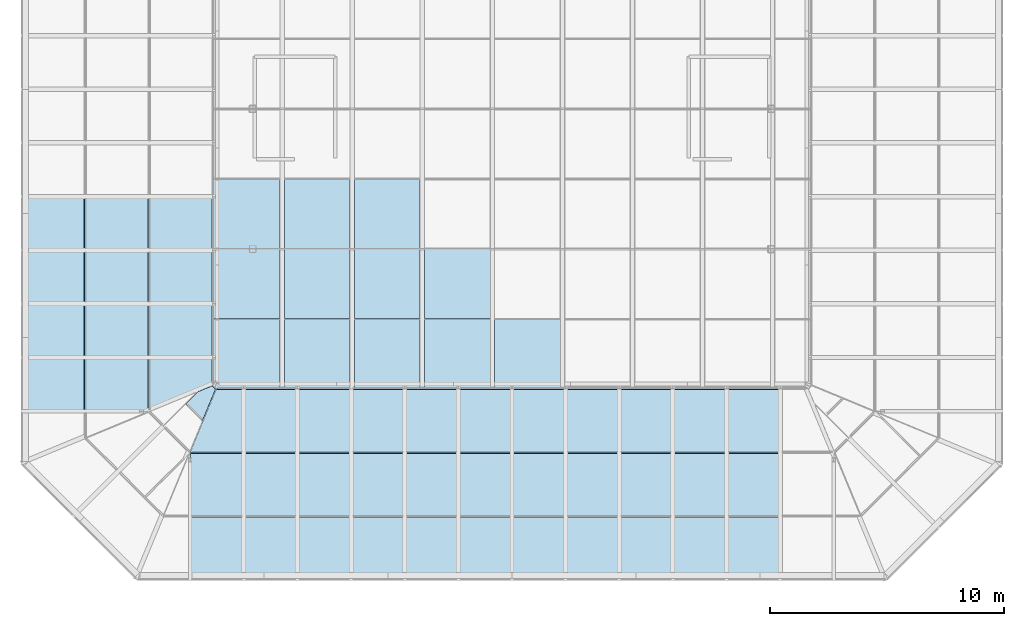
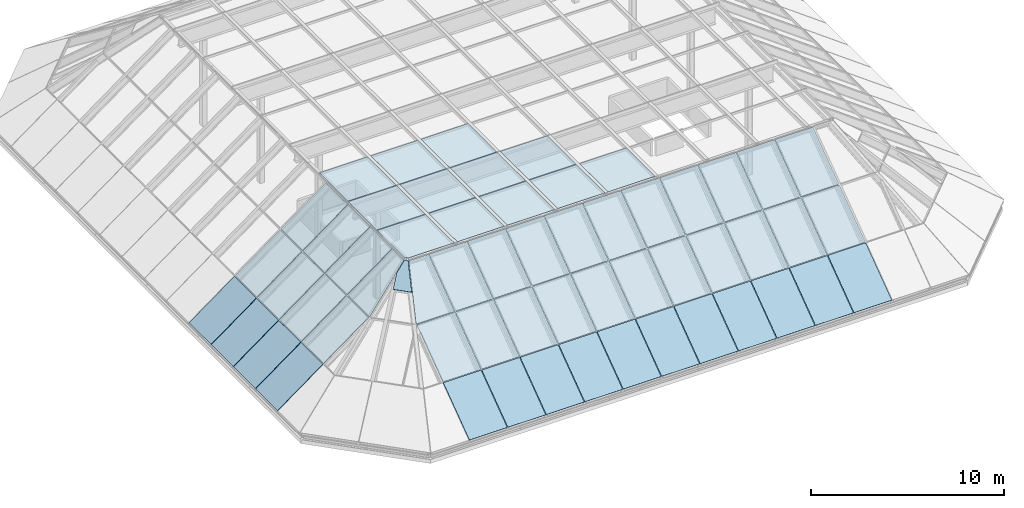
# One storey, part 11 of 15: 58 plates, 4 elements without a shape of their own.
"""IFC4 building model written with IfcOpenShell, lengths in metres."""

from ifc_helpers import new_model, si_unit, direction, frame, origin, place, context, subcontext, project, spatial, polyline, outline, extrude, material, layer, layer_set, constituent, constituent_set, type_object, element, aggregate, save


model = new_model("IFC4")

# Units and contexts
model_context = context("Model", 3, precision=1e-05, world=origin(), true_north=direction((0.0, 1.0)))
body_context = subcontext(model_context, "Body", "Model", "MODEL_VIEW")
ifc_project = project(units=[si_unit("LENGTHUNIT", "METRE"), si_unit("AREAUNIT", "SQUARE_METRE"), si_unit("VOLUMEUNIT", "CUBIC_METRE"), si_unit("PLANEANGLEUNIT", "RADIAN"), si_unit("MASSUNIT", "GRAM", prefix="KILO")], contexts=[model_context])

# Site, building, storey
site_placement = place(None, origin())
site = spatial("IfcSite", under=ifc_project, at=site_placement, CompositionType="ELEMENT")
building_placement = place(site_placement, origin())
building = spatial("IfcBuilding", under=site, at=building_placement, Name="Quoin Convention Tower", CompositionType="ELEMENT")
storey_placement = place(building_placement, frame((0.0, 0.0, 273.699951171875)))
storey = spatial("IfcBuildingStorey", under=building, at=storey_placement, Name="Roof", CompositionType="ELEMENT", Elevation=273.699951171875)

# Curtain wall, plates
ifc_material_1 = material(Name="Aluminium", Category="aluminium")
ifc_constituent_1 = constituent(ifc_material_1, Name="Frame")
ifc_material_2 = material(Name="Insulated glass", Category="glass")
ifc_constituent_2 = constituent(ifc_material_2, Name="Glazing")
ifc_constituent_set = constituent_set(constituents=[ifc_constituent_1, ifc_constituent_2], Name="Aluminium")
curtain_wall_type = type_object("IfcCurtainWallType", Name="Lantern roof system", PredefinedType="NOTDEFINED", material=ifc_constituent_set)
curtain_wall_1_placement = place(storey_placement, origin())
curtain_wall_1 = element("IfcCurtainWall", 1, at=curtain_wall_1_placement, inside=storey, type_object=curtain_wall_type, Name="crn-LNR-F35210_76827", PredefinedType="NOTDEFINED")
ifc_layer = layer(ifc_material_2, 0.028076171875)
ifc_layer_set = layer_set([ifc_layer], Name="Insulated glass")
plate_type = type_object("IfcPlateType", Name="Lantern roof glazing unit 28", PredefinedType="CURTAIN_PANEL", material=ifc_layer_set)
plate_1_placement = place(storey_placement, frame((37.93115234375, 56.1416015625, 2.466552734375), z_axis=(-0.590508839017, 0.0, 0.807031171048), x_axis=(0.0, -1.0, 0.0)))
plate_1 = element("IfcPlate", 2, at=plate_1_placement, type_object=plate_type, Name="CW6 glazing unit", PredefinedType="CURTAIN_PANEL", context=body_context, shape_type="SweptSolid", body=[
    extrude(outline(polyline([(0.0, 0.0), (2.266845703125, 0.0), (2.266845703125, -3.3567283051575907), (0.0, -3.3567283051575907), (0.0, 0.0)])), origin(), (0.0, 0.0, -1.0), 0.028076171875),
])
plate_2_placement = place(storey_placement, frame((37.93115234375, 53.8447265625, 2.466552734375), z_axis=(-0.590508839017, 0.0, 0.807031171048), x_axis=(0.0, -1.0, 0.0)))
plate_2 = element("IfcPlate", 3, at=plate_2_placement, type_object=plate_type, Name="CW6 glazing unit", PredefinedType="CURTAIN_PANEL", context=body_context, shape_type="SweptSolid", body=[
    extrude(outline(polyline([(0.0, 0.0), (2.266845703125, 0.0), (2.266845703125, -3.3567283051575907), (0.0, -3.3567283051575907), (0.0, 0.0)])), origin(), (0.0, 0.0, -1.0), 0.028076171875),
])
plate_3_placement = place(storey_placement, frame((37.93115234375, 51.548095703125, 2.466552734375), z_axis=(-0.590508839017, 0.0, 0.807031171048), x_axis=(0.0, -1.0, 0.0)))
plate_3 = element("IfcPlate", 4, at=plate_3_placement, type_object=plate_type, Name="CW6 glazing unit", PredefinedType="CURTAIN_PANEL", context=body_context, shape_type="SweptSolid", body=[
    extrude(outline(polyline([(0.0, 0.0), (2.266845703125, 0.0), (2.266845703125, -3.3567283051575907), (0.0, -3.3567283051575907), (0.0, 0.0)])), origin(), (0.0, 0.0, -1.0), 0.028076171875),
])
plate_4_placement = place(storey_placement, frame((37.93115234375, 49.251220703125, 2.466552734375), z_axis=(-0.590508839017, 0.0, 0.807031171048), x_axis=(0.0, -1.0, 0.0)))
plate_4 = element("IfcPlate", 5, at=plate_4_placement, type_object=plate_type, Name="CW6 glazing unit", PredefinedType="CURTAIN_PANEL", context=body_context, shape_type="SweptSolid", body=[
    extrude(outline(polyline([(0.0, 0.0), (2.2666015625, 0.0), (2.2666015625, -3.3567283051575902), (0.0, -3.3567283051575902), (0.0, 0.0)])), origin(), (0.0, 0.0, -1.0), 0.028076171875),
])
plate_5_placement = place(storey_placement, frame((37.955322265625, 56.1416015625, 2.484375), z_axis=(-0.590474179548, 0.0, 0.807056530416), x_axis=(0.807056530416, 0.0, 0.590474179548)))
plate_5 = element("IfcPlate", 6, at=plate_5_placement, type_object=plate_type, Name="CW6 glazing unit", PredefinedType="CURTAIN_PANEL", context=body_context, shape_type="SweptSolid", body=[
    extrude(outline(polyline([(0.0, 0.0), (3.356925337347801, 0.0), (3.356925337347801, -2.266845703125), (0.0, -2.266845703125), (0.0, 0.0)])), origin(), (0.0, 0.0, -1.0), 0.028076171875),
])
plate_6_placement = place(storey_placement, frame((37.955322265625, 53.8447265625, 2.484375), z_axis=(-0.590474179548, 0.0, 0.807056530416), x_axis=(0.807056530416, 0.0, 0.590474179548)))
plate_6 = element("IfcPlate", 7, at=plate_6_placement, type_object=plate_type, Name="CW6 glazing unit", PredefinedType="CURTAIN_PANEL", context=body_context, shape_type="SweptSolid", body=[
    extrude(outline(polyline([(0.0, 0.0), (3.356925337347801, 0.0), (3.356925337347801, -2.266845703125), (0.0, -2.266845703125), (0.0, 0.0)])), origin(), (0.0, 0.0, -1.0), 0.028076171875),
])
plate_7_placement = place(storey_placement, frame((37.955322265625, 51.548095703125, 2.484375), z_axis=(-0.590474179548, 0.0, 0.807056530416), x_axis=(0.807056530416, 0.0, 0.590474179548)))
plate_7 = element("IfcPlate", 8, at=plate_7_placement, type_object=plate_type, Name="CW6 glazing unit", PredefinedType="CURTAIN_PANEL", context=body_context, shape_type="SweptSolid", body=[
    extrude(outline(polyline([(0.0, 0.0), (3.356925337347801, 0.0), (3.356925337347801, -2.266845703125), (0.0, -2.266845703125), (0.0, 0.0)])), origin(), (0.0, 0.0, -1.0), 0.028076171875),
])
plate_8_placement = place(storey_placement, frame((37.955322265625, 49.251220703125, 2.484375), z_axis=(-0.590474179548, 0.0, 0.807056530416), x_axis=(0.807056530416, 0.0, 0.590474179548)))
plate_8 = element("IfcPlate", 9, at=plate_8_placement, type_object=plate_type, Name="CW6 glazing unit", PredefinedType="CURTAIN_PANEL", context=body_context, shape_type="SweptSolid", body=[
    extrude(outline(polyline([(0.0, 0.0), (3.356925337347801, 0.0), (3.356925337347801, -2.2666015625), (0.0, -2.2666015625), (0.0, 0.0)])), origin(), (0.0, 0.0, -1.0), 0.028076171875),
])
plate_9_placement = place(storey_placement, frame((40.688720703125, 53.874755859375, 4.484375), z_axis=(-0.590474179548, 0.0, 0.807056530416), x_axis=(0.0, 1.0, 0.0)))
plate_9 = element("IfcPlate", 10, at=plate_9_placement, type_object=plate_type, Name="CW6 glazing unit", PredefinedType="CURTAIN_PANEL", context=body_context, shape_type="SweptSolid", body=[
    extrude(outline(polyline([(0.0, 0.0), (2.266845703125, 0.0), (2.266845703125, -3.356925337347801), (0.0, -3.356925337347801), (0.0, 0.0)])), origin(), (0.0, 0.0, -1.0), 0.028076171875),
])
plate_10_placement = place(storey_placement, frame((40.688720703125, 51.577880859375, 4.484375), z_axis=(-0.590474179548, 0.0, 0.807056530416), x_axis=(0.0, 1.0, 0.0)))
plate_10 = element("IfcPlate", 11, at=plate_10_placement, type_object=plate_type, Name="CW6 glazing unit", PredefinedType="CURTAIN_PANEL", context=body_context, shape_type="SweptSolid", body=[
    extrude(outline(polyline([(0.0, 0.0), (2.266845703125, 0.0), (2.266845703125, -3.356925337347801), (0.0, -3.356925337347801), (0.0, 0.0)])), origin(), (0.0, 0.0, -1.0), 0.028076171875),
])
plate_11_placement = place(storey_placement, frame((40.688720703125, 49.28125, 4.484375), z_axis=(-0.590474179548, 0.0, 0.807056530416), x_axis=(0.0, 1.0, 0.0)))
plate_11 = element("IfcPlate", 12, at=plate_11_placement, type_object=plate_type, Name="CW6 glazing unit", PredefinedType="CURTAIN_PANEL", context=body_context, shape_type="SweptSolid", body=[
    extrude(outline(polyline([(0.0, 0.0), (2.266845703125, 0.0), (2.266845703125, -3.356925337347801), (0.0, -3.356925337347801), (0.0, 0.0)])), origin(), (0.0, 0.0, -1.0), 0.028076171875),
])
plate_12_placement = place(storey_placement, frame((40.688720703125, 46.984619140625, 4.484375), z_axis=(-0.590467870456, -2.3954968e-05, 0.807061146002), x_axis=(-1.4144639e-05, 0.999999999713, 1.9333124e-05)))
plate_12 = element("IfcPlate", 13, at=plate_12_placement, type_object=plate_type, Name="CW6 glazing unit", PredefinedType="CURTAIN_PANEL", context=body_context, shape_type="SweptSolid", body=[
    extrude(outline(polyline([(0.0, 0.0), (2.266601561849666, 0.0), (2.2666015624782845, -3.356925337245233), (1.0954589846893092, -3.356925337245233), (-1.972716709108947e-09, -0.07949875796371716), (0.0, 0.0)])), origin(), (0.0, 0.0, -1.0), 0.028076171875),
])
aggregate(curtain_wall_1, [plate_1, plate_2, plate_3, plate_4, plate_5, plate_6, plate_7, plate_8, plate_9, plate_10, plate_11, plate_12])

# Curtain wall, plate
curtain_wall_2_placement = place(storey_placement, origin())
curtain_wall_2 = element("IfcCurtainWall", 14, at=curtain_wall_2_placement, inside=storey, type_object=curtain_wall_type, Name="crn-LNR-F35210_44673", PredefinedType="NOTDEFINED")
plate_13_placement = place(storey_placement, frame((42.9970703125, 46.566650390625, 5.484375), z_axis=(-0.417448451267, -0.417578956169, 0.807071623773), x_axis=(-0.707224642574, 0.706988900109, -7.613711e-06)))
plate_13 = element("IfcPlate", 15, at=plate_13_placement, type_object=plate_type, Name="CW6 glazing unit", PredefinedType="CURTAIN_PANEL", context=body_context, shape_type="SweptSolid", body=[
    extrude(outline(polyline([(0.0, 0.0), (1.0021374329858963, 5.551115123125783e-17), (1.0020069393110802, -0.9385983617875202), (0.7593561028419844, -1.663447276913725), (0.5559938526855857, -1.6634190033734484), (0.0, 0.0)])), origin(), (0.0, 0.0, -1.0), 0.028076171875),
])
aggregate(curtain_wall_2, [plate_13])

# Curtain wall, plates
curtain_wall_3_placement = place(storey_placement, origin())
curtain_wall_3 = element("IfcCurtainWall", 16, at=curtain_wall_3_placement, inside=storey, type_object=curtain_wall_type, Name="crn-LNR-F40173_39710", PredefinedType="NOTDEFINED")
plate_14_placement = place(storey_placement, frame((42.484619140625, 42.43115234375, 2.466552734375), z_axis=(0.0, -0.590508839017, 0.807031171048), x_axis=(1.0, 0.0, 0.0)))
plate_14 = element("IfcPlate", 17, at=plate_14_placement, type_object=plate_type, Name="CW6 glazing unit", PredefinedType="CURTAIN_PANEL", context=body_context, shape_type="SweptSolid", body=[
    extrude(outline(polyline([(0.0, 0.0), (2.2666015625, 0.0), (2.2666015625, -3.3567283051575902), (0.0, -3.3567283051575902), (0.0, 0.0)])), origin(), (0.0, 0.0, -1.0), 0.028076171875),
])
plate_15_placement = place(storey_placement, frame((44.78125, 42.43115234375, 2.466552734375), z_axis=(0.0, -0.590508839017, 0.807031171048), x_axis=(1.0, 0.0, 0.0)))
plate_15 = element("IfcPlate", 18, at=plate_15_placement, type_object=plate_type, Name="CW6 glazing unit", PredefinedType="CURTAIN_PANEL", context=body_context, shape_type="SweptSolid", body=[
    extrude(outline(polyline([(0.0, 0.0), (2.266845703125, 0.0), (2.266845703125, -3.3567283051575907), (0.0, -3.3567283051575907), (0.0, 0.0)])), origin(), (0.0, 0.0, -1.0), 0.028076171875),
])
plate_16_placement = place(storey_placement, frame((47.077880859375, 42.43115234375, 2.466552734375), z_axis=(0.0, -0.590508839017, 0.807031171048), x_axis=(1.0, 0.0, 0.0)))
plate_16 = element("IfcPlate", 19, at=plate_16_placement, type_object=plate_type, Name="CW6 glazing unit", PredefinedType="CURTAIN_PANEL", context=body_context, shape_type="SweptSolid", body=[
    extrude(outline(polyline([(0.0, 0.0), (2.266845703125, 0.0), (2.266845703125, -3.3567283051575907), (0.0, -3.3567283051575907), (0.0, 0.0)])), origin(), (0.0, 0.0, -1.0), 0.028076171875),
])
plate_17_placement = place(storey_placement, frame((49.374755859375, 42.43115234375, 2.466552734375), z_axis=(0.0, -0.590508839017, 0.807031171048), x_axis=(1.0, 0.0, 0.0)))
plate_17 = element("IfcPlate", 20, at=plate_17_placement, type_object=plate_type, Name="CW6 glazing unit", PredefinedType="CURTAIN_PANEL", context=body_context, shape_type="SweptSolid", body=[
    extrude(outline(polyline([(0.0, 0.0), (2.266845703125, 0.0), (2.266845703125, -3.3567283051575907), (0.0, -3.3567283051575907), (0.0, 0.0)])), origin(), (0.0, 0.0, -1.0), 0.028076171875),
])
plate_18_placement = place(storey_placement, frame((51.67138671875, 42.43115234375, 2.466552734375), z_axis=(0.0, -0.590508839017, 0.807031171048), x_axis=(1.0, 0.0, 0.0)))
plate_18 = element("IfcPlate", 21, at=plate_18_placement, type_object=plate_type, Name="CW6 glazing unit", PredefinedType="CURTAIN_PANEL", context=body_context, shape_type="SweptSolid", body=[
    extrude(outline(polyline([(0.0, 0.0), (2.266845703125, 0.0), (2.266845703125, -3.3567283051575907), (0.0, -3.3567283051575907), (0.0, 0.0)])), origin(), (0.0, 0.0, -1.0), 0.028076171875),
])
plate_19_placement = place(storey_placement, frame((53.96826171875, 42.43115234375, 2.466552734375), z_axis=(0.0, -0.590508839017, 0.807031171048), x_axis=(1.0, 0.0, 0.0)))
plate_19 = element("IfcPlate", 22, at=plate_19_placement, type_object=plate_type, Name="CW6 glazing unit", PredefinedType="CURTAIN_PANEL", context=body_context, shape_type="SweptSolid", body=[
    extrude(outline(polyline([(0.0, 0.0), (2.266845703125, 0.0), (2.266845703125, -3.3567283051575907), (0.0, -3.3567283051575907), (0.0, 0.0)])), origin(), (0.0, 0.0, -1.0), 0.028076171875),
])
plate_20_placement = place(storey_placement, frame((56.264892578125, 42.43115234375, 2.466552734375), z_axis=(0.0, -0.590508839017, 0.807031171048), x_axis=(1.0, 0.0, 0.0)))
plate_20 = element("IfcPlate", 23, at=plate_20_placement, type_object=plate_type, Name="CW6 glazing unit", PredefinedType="CURTAIN_PANEL", context=body_context, shape_type="SweptSolid", body=[
    extrude(outline(polyline([(0.0, 0.0), (2.266845703125, 0.0), (2.266845703125, -3.3567283051575907), (0.0, -3.3567283051575907), (0.0, 0.0)])), origin(), (0.0, 0.0, -1.0), 0.028076171875),
])
plate_21_placement = place(storey_placement, frame((58.561767578125, 42.43115234375, 2.466552734375), z_axis=(0.0, -0.590508839017, 0.807031171048), x_axis=(1.0, 0.0, 0.0)))
plate_21 = element("IfcPlate", 24, at=plate_21_placement, type_object=plate_type, Name="CW6 glazing unit", PredefinedType="CURTAIN_PANEL", context=body_context, shape_type="SweptSolid", body=[
    extrude(outline(polyline([(0.0, 0.0), (2.266845703125, 0.0), (2.266845703125, -3.3567283051575907), (0.0, -3.3567283051575907), (0.0, 0.0)])), origin(), (0.0, 0.0, -1.0), 0.028076171875),
])
plate_22_placement = place(storey_placement, frame((60.8583984375, 42.43115234375, 2.466552734375), z_axis=(0.0, -0.590508839017, 0.807031171048), x_axis=(1.0, 0.0, 0.0)))
plate_22 = element("IfcPlate", 25, at=plate_22_placement, type_object=plate_type, Name="CW6 glazing unit", PredefinedType="CURTAIN_PANEL", context=body_context, shape_type="SweptSolid", body=[
    extrude(outline(polyline([(0.0, 0.0), (2.266845703125, 0.0), (2.266845703125, -3.3567283051575907), (0.0, -3.3567283051575907), (0.0, 0.0)])), origin(), (0.0, 0.0, -1.0), 0.028076171875),
])
plate_23_placement = place(storey_placement, frame((63.1552734375, 42.43115234375, 2.466552734375), z_axis=(0.0, -0.590508839017, 0.807031171048), x_axis=(1.0, 0.0, 0.0)))
plate_23 = element("IfcPlate", 26, at=plate_23_placement, type_object=plate_type, Name="CW6 glazing unit", PredefinedType="CURTAIN_PANEL", context=body_context, shape_type="SweptSolid", body=[
    extrude(outline(polyline([(0.0, 0.0), (2.266845703125, 0.0), (2.266845703125, -3.3567283051575907), (0.0, -3.3567283051575907), (0.0, 0.0)])), origin(), (0.0, 0.0, -1.0), 0.028076171875),
])
plate_24_placement = place(storey_placement, frame((65.451904296875, 42.43115234375, 2.466552734375), z_axis=(0.0, -0.590508839017, 0.807031171048), x_axis=(1.0, 0.0, 0.0)))
plate_24 = element("IfcPlate", 27, at=plate_24_placement, type_object=plate_type, Name="CW6 glazing unit", PredefinedType="CURTAIN_PANEL", context=body_context, shape_type="SweptSolid", body=[
    extrude(outline(polyline([(0.0, 0.0), (2.266845703125, 0.0), (2.266845703125, -3.3567283051575907), (0.0, -3.3567283051575907), (0.0, 0.0)])), origin(), (0.0, 0.0, -1.0), 0.028076171875),
])
plate_25_placement = place(storey_placement, frame((42.484619140625, 42.455322265625, 2.484375), z_axis=(0.0, -0.590474179548, 0.807056530416), x_axis=(0.0, 0.807056530416, 0.590474179548)))
plate_25 = element("IfcPlate", 28, at=plate_25_placement, type_object=plate_type, Name="CW6 glazing unit", PredefinedType="CURTAIN_PANEL", context=body_context, shape_type="SweptSolid", body=[
    extrude(outline(polyline([(0.0, 0.0), (3.356925337347801, 0.0), (3.356925337347801, -2.2666015625), (0.0, -2.2666015625), (0.0, 0.0)])), origin(), (0.0, 0.0, -1.0), 0.028076171875),
])
plate_26_placement = place(storey_placement, frame((44.78125, 42.455322265625, 2.484375), z_axis=(0.0, -0.590474179548, 0.807056530416), x_axis=(0.0, 0.807056530416, 0.590474179548)))
plate_26 = element("IfcPlate", 29, at=plate_26_placement, type_object=plate_type, Name="CW6 glazing unit", PredefinedType="CURTAIN_PANEL", context=body_context, shape_type="SweptSolid", body=[
    extrude(outline(polyline([(0.0, 0.0), (3.356925337347801, 0.0), (3.356925337347801, -2.266845703125), (0.0, -2.266845703125), (0.0, 0.0)])), origin(), (0.0, 0.0, -1.0), 0.028076171875),
])
plate_27_placement = place(storey_placement, frame((47.077880859375, 42.455322265625, 2.484375), z_axis=(0.0, -0.590474179548, 0.807056530416), x_axis=(0.0, 0.807056530416, 0.590474179548)))
plate_27 = element("IfcPlate", 30, at=plate_27_placement, type_object=plate_type, Name="CW6 glazing unit", PredefinedType="CURTAIN_PANEL", context=body_context, shape_type="SweptSolid", body=[
    extrude(outline(polyline([(0.0, 0.0), (3.356925337347801, 0.0), (3.356925337347801, -2.266845703125), (0.0, -2.266845703125), (0.0, 0.0)])), origin(), (0.0, 0.0, -1.0), 0.028076171875),
])
plate_28_placement = place(storey_placement, frame((49.374755859375, 42.455322265625, 2.484375), z_axis=(0.0, -0.590474179548, 0.807056530416), x_axis=(0.0, 0.807056530416, 0.590474179548)))
plate_28 = element("IfcPlate", 31, at=plate_28_placement, type_object=plate_type, Name="CW6 glazing unit", PredefinedType="CURTAIN_PANEL", context=body_context, shape_type="SweptSolid", body=[
    extrude(outline(polyline([(0.0, 0.0), (3.356925337347801, 0.0), (3.356925337347801, -2.266845703125), (0.0, -2.266845703125), (0.0, 0.0)])), origin(), (0.0, 0.0, -1.0), 0.028076171875),
])
plate_29_placement = place(storey_placement, frame((51.67138671875, 42.455322265625, 2.484375), z_axis=(0.0, -0.590474179548, 0.807056530416), x_axis=(0.0, 0.807056530416, 0.590474179548)))
plate_29 = element("IfcPlate", 32, at=plate_29_placement, type_object=plate_type, Name="CW6 glazing unit", PredefinedType="CURTAIN_PANEL", context=body_context, shape_type="SweptSolid", body=[
    extrude(outline(polyline([(0.0, 0.0), (3.356925337347801, 0.0), (3.356925337347801, -2.266845703125), (0.0, -2.266845703125), (0.0, 0.0)])), origin(), (0.0, 0.0, -1.0), 0.028076171875),
])
plate_30_placement = place(storey_placement, frame((53.96826171875, 42.455322265625, 2.484375), z_axis=(0.0, -0.590474179548, 0.807056530416), x_axis=(0.0, 0.807056530416, 0.590474179548)))
plate_30 = element("IfcPlate", 33, at=plate_30_placement, type_object=plate_type, Name="CW6 glazing unit", PredefinedType="CURTAIN_PANEL", context=body_context, shape_type="SweptSolid", body=[
    extrude(outline(polyline([(0.0, 0.0), (3.356925337347801, 0.0), (3.356925337347801, -2.266845703125), (0.0, -2.266845703125), (0.0, 0.0)])), origin(), (0.0, 0.0, -1.0), 0.028076171875),
])
plate_31_placement = place(storey_placement, frame((56.264892578125, 42.455322265625, 2.484375), z_axis=(0.0, -0.590474179548, 0.807056530416), x_axis=(0.0, 0.807056530416, 0.590474179548)))
plate_31 = element("IfcPlate", 34, at=plate_31_placement, type_object=plate_type, Name="CW6 glazing unit", PredefinedType="CURTAIN_PANEL", context=body_context, shape_type="SweptSolid", body=[
    extrude(outline(polyline([(0.0, 0.0), (3.356925337347801, 0.0), (3.356925337347801, -2.266845703125), (0.0, -2.266845703125), (0.0, 0.0)])), origin(), (0.0, 0.0, -1.0), 0.028076171875),
])
plate_32_placement = place(storey_placement, frame((58.561767578125, 42.455322265625, 2.484375), z_axis=(0.0, -0.590474179548, 0.807056530416), x_axis=(0.0, 0.807056530416, 0.590474179548)))
plate_32 = element("IfcPlate", 35, at=plate_32_placement, type_object=plate_type, Name="CW6 glazing unit", PredefinedType="CURTAIN_PANEL", context=body_context, shape_type="SweptSolid", body=[
    extrude(outline(polyline([(0.0, 0.0), (3.356925337347801, 0.0), (3.356925337347801, -2.266845703125), (0.0, -2.266845703125), (0.0, 0.0)])), origin(), (0.0, 0.0, -1.0), 0.028076171875),
])
plate_33_placement = place(storey_placement, frame((60.8583984375, 42.455322265625, 2.484375), z_axis=(0.0, -0.590474179548, 0.807056530416), x_axis=(0.0, 0.807056530416, 0.590474179548)))
plate_33 = element("IfcPlate", 36, at=plate_33_placement, type_object=plate_type, Name="CW6 glazing unit", PredefinedType="CURTAIN_PANEL", context=body_context, shape_type="SweptSolid", body=[
    extrude(outline(polyline([(0.0, 0.0), (3.356925337347801, 0.0), (3.356925337347801, -2.266845703125), (0.0, -2.266845703125), (0.0, 0.0)])), origin(), (0.0, 0.0, -1.0), 0.028076171875),
])
plate_34_placement = place(storey_placement, frame((63.1552734375, 42.455322265625, 2.484375), z_axis=(0.0, -0.590474179548, 0.807056530416), x_axis=(0.0, 0.807056530416, 0.590474179548)))
plate_34 = element("IfcPlate", 37, at=plate_34_placement, type_object=plate_type, Name="CW6 glazing unit", PredefinedType="CURTAIN_PANEL", context=body_context, shape_type="SweptSolid", body=[
    extrude(outline(polyline([(0.0, 0.0), (3.356925337347801, 0.0), (3.356925337347801, -2.266845703125), (0.0, -2.266845703125), (0.0, 0.0)])), origin(), (0.0, 0.0, -1.0), 0.028076171875),
])
plate_35_placement = place(storey_placement, frame((65.451904296875, 42.455322265625, 2.484375), z_axis=(0.0, -0.590474179548, 0.807056530416), x_axis=(0.0, 0.807056530416, 0.590474179548)))
plate_35 = element("IfcPlate", 38, at=plate_35_placement, type_object=plate_type, Name="CW6 glazing unit", PredefinedType="CURTAIN_PANEL", context=body_context, shape_type="SweptSolid", body=[
    extrude(outline(polyline([(0.0, 0.0), (3.356925337347801, 0.0), (3.356925337347801, -2.266845703125), (0.0, -2.266845703125), (0.0, 0.0)])), origin(), (0.0, 0.0, -1.0), 0.028076171875),
])
plate_36_placement = place(storey_placement, frame((44.751220703125, 45.188720703125, 4.484375), z_axis=(-2.3954968e-05, -0.590467870456, 0.807061146002), x_axis=(-0.999999999713, 1.4144639e-05, -1.9333124e-05)))
plate_36 = element("IfcPlate", 39, at=plate_36_placement, type_object=plate_type, Name="CW6 glazing unit", PredefinedType="CURTAIN_PANEL", context=body_context, shape_type="SweptSolid", body=[
    extrude(outline(polyline([(0.0, 0.0), (2.266601561849666, 0.0), (2.2666015638223826, -0.07949875796371716), (1.1711425771603567, -3.356925337245233), (-6.286186970944465e-10, -3.356925337245233), (0.0, 0.0)])), origin(), (0.0, 0.0, -1.0), 0.028076171875),
])
plate_37_placement = place(storey_placement, frame((47.048095703125, 45.188720703125, 4.484375), z_axis=(0.0, -0.590474179548, 0.807056530416), x_axis=(-1.0, 0.0, 0.0)))
plate_37 = element("IfcPlate", 40, at=plate_37_placement, type_object=plate_type, Name="CW6 glazing unit", PredefinedType="CURTAIN_PANEL", context=body_context, shape_type="SweptSolid", body=[
    extrude(outline(polyline([(0.0, 0.0), (2.266845703125, 0.0), (2.266845703125, -3.356925337347801), (0.0, -3.356925337347801), (0.0, 0.0)])), origin(), (0.0, 0.0, -1.0), 0.028076171875),
])
plate_38_placement = place(storey_placement, frame((49.3447265625, 45.188720703125, 4.484375), z_axis=(0.0, -0.590474179548, 0.807056530416), x_axis=(-1.0, 0.0, 0.0)))
plate_38 = element("IfcPlate", 41, at=plate_38_placement, type_object=plate_type, Name="CW6 glazing unit", PredefinedType="CURTAIN_PANEL", context=body_context, shape_type="SweptSolid", body=[
    extrude(outline(polyline([(0.0, 0.0), (2.266845703125, 0.0), (2.266845703125, -3.356925337347801), (0.0, -3.356925337347801), (0.0, 0.0)])), origin(), (0.0, 0.0, -1.0), 0.028076171875),
])
plate_39_placement = place(storey_placement, frame((51.6416015625, 45.188720703125, 4.484375), z_axis=(0.0, -0.590474179548, 0.807056530416), x_axis=(-1.0, 0.0, 0.0)))
plate_39 = element("IfcPlate", 42, at=plate_39_placement, type_object=plate_type, Name="CW6 glazing unit", PredefinedType="CURTAIN_PANEL", context=body_context, shape_type="SweptSolid", body=[
    extrude(outline(polyline([(0.0, 0.0), (2.266845703125, 0.0), (2.266845703125, -3.356925337347801), (0.0, -3.356925337347801), (0.0, 0.0)])), origin(), (0.0, 0.0, -1.0), 0.028076171875),
])
plate_40_placement = place(storey_placement, frame((53.938232421875, 45.188720703125, 4.484375), z_axis=(0.0, -0.590474179548, 0.807056530416), x_axis=(-1.0, 0.0, 0.0)))
plate_40 = element("IfcPlate", 43, at=plate_40_placement, type_object=plate_type, Name="CW6 glazing unit", PredefinedType="CURTAIN_PANEL", context=body_context, shape_type="SweptSolid", body=[
    extrude(outline(polyline([(0.0, 0.0), (2.266845703125, 0.0), (2.266845703125, -3.356925337347801), (0.0, -3.356925337347801), (0.0, 0.0)])), origin(), (0.0, 0.0, -1.0), 0.028076171875),
])
plate_41_placement = place(storey_placement, frame((56.235107421875, 45.188720703125, 4.484375), z_axis=(0.0, -0.590474179548, 0.807056530416), x_axis=(-1.0, 0.0, 0.0)))
plate_41 = element("IfcPlate", 44, at=plate_41_placement, type_object=plate_type, Name="CW6 glazing unit", PredefinedType="CURTAIN_PANEL", context=body_context, shape_type="SweptSolid", body=[
    extrude(outline(polyline([(0.0, 0.0), (2.266845703125, 0.0), (2.266845703125, -3.356925337347801), (0.0, -3.356925337347801), (0.0, 0.0)])), origin(), (0.0, 0.0, -1.0), 0.028076171875),
])
plate_42_placement = place(storey_placement, frame((58.53173828125, 45.188720703125, 4.484375), z_axis=(0.0, -0.590474179548, 0.807056530416), x_axis=(-1.0, 0.0, 0.0)))
plate_42 = element("IfcPlate", 45, at=plate_42_placement, type_object=plate_type, Name="CW6 glazing unit", PredefinedType="CURTAIN_PANEL", context=body_context, shape_type="SweptSolid", body=[
    extrude(outline(polyline([(0.0, 0.0), (2.266845703125, 0.0), (2.266845703125, -3.356925337347801), (0.0, -3.356925337347801), (0.0, 0.0)])), origin(), (0.0, 0.0, -1.0), 0.028076171875),
])
plate_43_placement = place(storey_placement, frame((60.82861328125, 45.188720703125, 4.484375), z_axis=(0.0, -0.590474179548, 0.807056530416), x_axis=(-1.0, 0.0, 0.0)))
plate_43 = element("IfcPlate", 46, at=plate_43_placement, type_object=plate_type, Name="CW6 glazing unit", PredefinedType="CURTAIN_PANEL", context=body_context, shape_type="SweptSolid", body=[
    extrude(outline(polyline([(0.0, 0.0), (2.266845703125, 0.0), (2.266845703125, -3.356925337347801), (0.0, -3.356925337347801), (0.0, 0.0)])), origin(), (0.0, 0.0, -1.0), 0.028076171875),
])
plate_44_placement = place(storey_placement, frame((63.125244140625, 45.188720703125, 4.484375), z_axis=(0.0, -0.590474179548, 0.807056530416), x_axis=(-1.0, 0.0, 0.0)))
plate_44 = element("IfcPlate", 47, at=plate_44_placement, type_object=plate_type, Name="CW6 glazing unit", PredefinedType="CURTAIN_PANEL", context=body_context, shape_type="SweptSolid", body=[
    extrude(outline(polyline([(0.0, 0.0), (2.266845703125, 0.0), (2.266845703125, -3.356925337347801), (0.0, -3.356925337347801), (0.0, 0.0)])), origin(), (0.0, 0.0, -1.0), 0.028076171875),
])
plate_45_placement = place(storey_placement, frame((65.422119140625, 45.188720703125, 4.484375), z_axis=(0.0, -0.590474179548, 0.807056530416), x_axis=(-1.0, 0.0, 0.0)))
plate_45 = element("IfcPlate", 48, at=plate_45_placement, type_object=plate_type, Name="CW6 glazing unit", PredefinedType="CURTAIN_PANEL", context=body_context, shape_type="SweptSolid", body=[
    extrude(outline(polyline([(0.0, 0.0), (2.266845703125, 0.0), (2.266845703125, -3.356925337347801), (0.0, -3.356925337347801), (0.0, 0.0)])), origin(), (0.0, 0.0, -1.0), 0.028076171875),
])
plate_46_placement = place(storey_placement, frame((67.71875, 45.188720703125, 4.484375), z_axis=(0.0, -0.590474179548, 0.807056530416), x_axis=(-1.0, 0.0, 0.0)))
plate_46 = element("IfcPlate", 49, at=plate_46_placement, type_object=plate_type, Name="CW6 glazing unit", PredefinedType="CURTAIN_PANEL", context=body_context, shape_type="SweptSolid", body=[
    extrude(outline(polyline([(0.0, 0.0), (2.266845703125, 0.0), (2.266845703125, -3.356925337347801), (0.0, -3.356925337347801), (0.0, 0.0)])), origin(), (0.0, 0.0, -1.0), 0.028076171875),
])
aggregate(curtain_wall_3, [plate_14, plate_15, plate_16, plate_17, plate_18, plate_19, plate_20, plate_21, plate_22, plate_23, plate_24, plate_25, plate_26, plate_27, plate_28, plate_29, plate_30, plate_31, plate_32, plate_33, plate_34, plate_35, plate_36, plate_37, plate_38, plate_39, plate_40, plate_41, plate_42, plate_43, plate_44, plate_45, plate_46])

curtain_wall_4_placement = place(storey_placement, origin())
curtain_wall_4 = element("IfcCurtainWall", 50, at=curtain_wall_4_placement, inside=storey, type_object=curtain_wall_type, Name="crn-LNR-CAP", PredefinedType="NOTDEFINED")
plate_47_placement = place(storey_placement, frame((46.320068359375, 50.889892578125, 6.62353515625), z_axis=(0.0, 0.0, 1.0), x_axis=(0.0, -1.0, 0.0)))
plate_47 = element("IfcPlate", 51, at=plate_47_placement, type_object=plate_type, Name="CW6 glazing unit", PredefinedType="CURTAIN_PANEL", context=body_context, shape_type="SweptSolid", body=[
    extrude(outline(polyline([(0.0, 0.0), (2.9599609375, 0.0), (2.9599609375, -2.742431640625), (2.812255859375, -2.89013671875), (0.0, -2.89013671875), (0.0, 0.0)])), origin(), (0.0, 0.0, -1.0), 0.028076171875),
])
plate_48_placement = place(storey_placement, frame((46.320068359375, 53.889892578125, 6.62353515625), z_axis=(0.0, 0.0, 1.0), x_axis=(0.0, -1.0, 0.0)))
plate_48 = element("IfcPlate", 52, at=plate_48_placement, type_object=plate_type, Name="CW6 glazing unit", PredefinedType="CURTAIN_PANEL", context=body_context, shape_type="SweptSolid", body=[
    extrude(outline(polyline([(0.0, 0.0), (2.9599609375, 0.0), (2.9599609375, -2.89013671875), (0.0, -2.89013671875), (0.0, 0.0)])), origin(), (0.0, 0.0, -1.0), 0.028076171875),
])
plate_49_placement = place(storey_placement, frame((46.320068359375, 56.889892578125, 6.62353515625), z_axis=(0.0, 0.0, 1.0), x_axis=(0.0, -1.0, 0.0)))
plate_49 = element("IfcPlate", 53, at=plate_49_placement, type_object=plate_type, Name="CW6 glazing unit", PredefinedType="CURTAIN_PANEL", context=body_context, shape_type="SweptSolid", body=[
    extrude(outline(polyline([(0.0, 0.0), (2.9599609375, 0.0), (2.9599609375, -2.89013671875), (0.0, -2.89013671875), (0.0, 0.0)])), origin(), (0.0, 0.0, -1.0), 0.028076171875),
])
plate_50_placement = place(storey_placement, frame((46.5, 50.889892578125, 6.62353515625), z_axis=(0.0, 0.0, 1.0), x_axis=(1.0, 0.0, 0.0)))
plate_50 = element("IfcPlate", 54, at=plate_50_placement, type_object=plate_type, Name="CW6 glazing unit", PredefinedType="CURTAIN_PANEL", context=body_context, shape_type="SweptSolid", body=[
    extrude(outline(polyline([(0.0, 0.0), (2.820068359375, 0.0), (2.820068359375, -2.9599609375), (0.0, -2.9599609375), (0.0, 0.0)])), origin(), (0.0, 0.0, -1.0), 0.028076171875),
])
plate_51_placement = place(storey_placement, frame((46.5, 50.929931640625, 6.62353515625), z_axis=(0.0, 0.0, 1.0), x_axis=(0.0, 1.0, 0.0)))
plate_51 = element("IfcPlate", 55, at=plate_51_placement, type_object=plate_type, Name="CW6 glazing unit", PredefinedType="CURTAIN_PANEL", context=body_context, shape_type="SweptSolid", body=[
    extrude(outline(polyline([(0.0, 0.0), (2.9599609375, 0.0), (2.9599609375, -2.820068359375), (0.0, -2.820068359375), (0.0, 0.0)])), origin(), (0.0, 0.0, -1.0), 0.028076171875),
])
plate_52_placement = place(storey_placement, frame((46.5, 53.929931640625, 6.62353515625), z_axis=(0.0, 0.0, 1.0), x_axis=(0.0, 1.0, 0.0)))
plate_52 = element("IfcPlate", 56, at=plate_52_placement, type_object=plate_type, Name="CW6 glazing unit", PredefinedType="CURTAIN_PANEL", context=body_context, shape_type="SweptSolid", body=[
    extrude(outline(polyline([(0.0, 0.0), (2.9599609375, 0.0), (2.9599609375, -2.820068359375), (0.0, -2.820068359375), (0.0, 0.0)])), origin(), (0.0, 0.0, -1.0), 0.028076171875),
])
plate_53_placement = place(storey_placement, frame((49.5, 50.889892578125, 6.62353515625), z_axis=(0.0, 0.0, 1.0), x_axis=(1.0, 0.0, 0.0)))
plate_53 = element("IfcPlate", 57, at=plate_53_placement, type_object=plate_type, Name="CW6 glazing unit", PredefinedType="CURTAIN_PANEL", context=body_context, shape_type="SweptSolid", body=[
    extrude(outline(polyline([(0.0, 0.0), (2.820068359375, 0.0), (2.820068359375, -2.9599609375), (0.0, -2.9599609375), (0.0, 0.0)])), origin(), (0.0, 0.0, -1.0), 0.028076171875),
])
plate_54_placement = place(storey_placement, frame((49.5, 50.929931640625, 6.62353515625), z_axis=(0.0, 0.0, 1.0), x_axis=(0.0, 1.0, 0.0)))
plate_54 = element("IfcPlate", 58, at=plate_54_placement, type_object=plate_type, Name="CW6 glazing unit", PredefinedType="CURTAIN_PANEL", context=body_context, shape_type="SweptSolid", body=[
    extrude(outline(polyline([(0.0, 0.0), (2.9599609375, 0.0), (2.9599609375, -2.820068359375), (0.0, -2.820068359375), (0.0, 0.0)])), origin(), (0.0, 0.0, -1.0), 0.028076171875),
])
plate_55_placement = place(storey_placement, frame((49.5, 53.929931640625, 6.62353515625), z_axis=(0.0, 0.0, 1.0), x_axis=(0.0, 1.0, 0.0)))
plate_55 = element("IfcPlate", 59, at=plate_55_placement, type_object=plate_type, Name="CW6 glazing unit", PredefinedType="CURTAIN_PANEL", context=body_context, shape_type="SweptSolid", body=[
    extrude(outline(polyline([(0.0, 0.0), (2.9599609375, 0.0), (2.9599609375, -2.820068359375), (0.0, -2.820068359375), (0.0, 0.0)])), origin(), (0.0, 0.0, -1.0), 0.028076171875),
])
plate_56_placement = place(storey_placement, frame((52.5, 50.889892578125, 6.62353515625), z_axis=(0.0, 0.0, 1.0), x_axis=(1.0, 0.0, 0.0)))
plate_56 = element("IfcPlate", 60, at=plate_56_placement, type_object=plate_type, Name="CW6 glazing unit", PredefinedType="CURTAIN_PANEL", context=body_context, shape_type="SweptSolid", body=[
    extrude(outline(polyline([(0.0, 0.0), (2.820068359375, 0.0), (2.820068359375, -2.9599609375), (0.0, -2.9599609375), (0.0, 0.0)])), origin(), (0.0, 0.0, -1.0), 0.028076171875),
])
plate_57_placement = place(storey_placement, frame((52.5, 50.929931640625, 6.62353515625), z_axis=(0.0, 0.0, 1.0), x_axis=(0.0, 1.0, 0.0)))
plate_57 = element("IfcPlate", 61, at=plate_57_placement, type_object=plate_type, Name="CW6 glazing unit", PredefinedType="CURTAIN_PANEL", context=body_context, shape_type="SweptSolid", body=[
    extrude(outline(polyline([(0.0, 0.0), (2.9599609375, 0.0), (2.9599609375, -2.820068359375), (0.0, -2.820068359375), (0.0, 0.0)])), origin(), (0.0, 0.0, -1.0), 0.028076171875),
])
plate_58_placement = place(storey_placement, frame((55.5, 50.889892578125, 6.62353515625), z_axis=(0.0, 0.0, 1.0), x_axis=(1.0, 0.0, 0.0)))
plate_58 = element("IfcPlate", 62, at=plate_58_placement, type_object=plate_type, Name="CW6 glazing unit", PredefinedType="CURTAIN_PANEL", context=body_context, shape_type="SweptSolid", body=[
    extrude(outline(polyline([(0.0, 0.0), (2.820068359375, 0.0), (2.820068359375, -2.9599609375), (0.0, -2.9599609375), (0.0, 0.0)])), origin(), (0.0, 0.0, -1.0), 0.028076171875),
])
aggregate(curtain_wall_4, [plate_47, plate_48, plate_49, plate_50, plate_51, plate_52, plate_53, plate_54, plate_55, plate_56, plate_57, plate_58])

save(model, "model.ifc")
